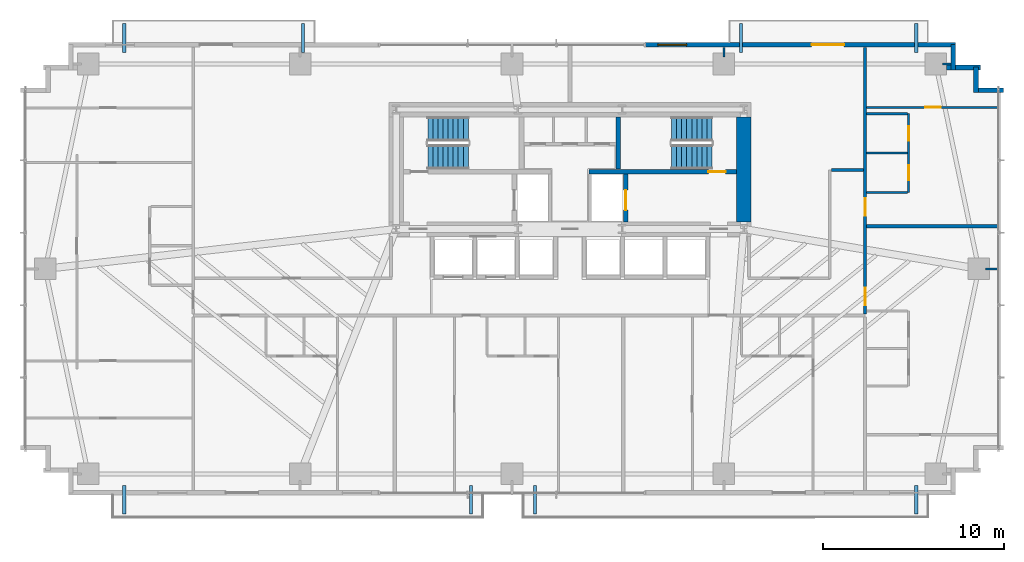
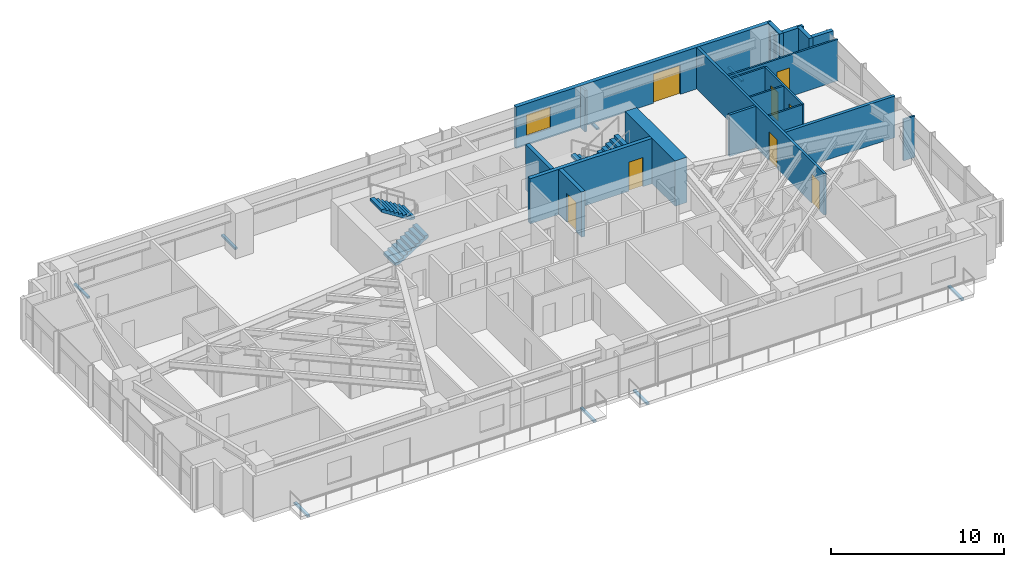
# One storey, part 22 of 25: 20 walls, 8 discrete accessories, 8 doors, 4 stair flights, 1 window, 9 openings, 2 elements without a shape of their own.
"""IFC4 building model written with IfcOpenShell, lengths in metres."""

from ifc_helpers import new_model, si_unit, direction, frame, frame_2d, origin, origin_2d, place, context, subcontext, project, spatial, polyline, rectangle, outline, extrude, source, transform, mapped, material, layer, layer_set, type_object, type_shapes, element, fill, aggregate, save


model = new_model("IFC4")

# Units and contexts
model_context = context("Model", 3, precision=1e-05, world=origin(), true_north=direction((0.0, 1.0)))
body_context = subcontext(model_context, "Body", "Model", "MODEL_VIEW")
ifc_project = project(units=[si_unit("LENGTHUNIT", "METRE"), si_unit("AREAUNIT", "SQUARE_METRE"), si_unit("VOLUMEUNIT", "CUBIC_METRE"), si_unit("PLANEANGLEUNIT", "RADIAN"), si_unit("MASSUNIT", "GRAM", prefix="KILO")], contexts=[model_context])

# Site, building, storey
site_placement = place(None, origin())
site = spatial("IfcSite", under=ifc_project, at=site_placement, CompositionType="ELEMENT")
building_placement = place(site_placement, origin())
building = spatial("IfcBuilding", under=site, at=building_placement, Name="Astriad Promenade Condominiums", CompositionType="ELEMENT")
storey_placement = place(building_placement, frame((0.0, 0.0, 42.199951171875)))
storey = spatial("IfcBuildingStorey", under=building, at=storey_placement, Name="L11", CompositionType="ELEMENT", Elevation=42.199951171875)

# Wall
ifc_material_1 = material(Name="Concrete C80/95", Category="concrete")
ifc_layer_1 = layer(ifc_material_1, 0.800048828125)
ifc_layer_set_1 = layer_set([ifc_layer_1], Name="Concrete C80/95")
wall_type_1 = type_object("IfcWallType", Name="CW-SHEAR-800", PredefinedType="SHEAR", material=ifc_layer_set_1)
wall_1_placement = place(storey_placement, frame((45.60009765625, 17.802001953125, 0.0), z_axis=(0.0, 0.0, 1.0), x_axis=(0.0, 1.0, 0.0)))
element("IfcWall", 1, at=wall_1_placement, inside=storey, type_object=wall_type_1, Name="CW-CORE-E-L11", PredefinedType="SHEAR", context=body_context, shape_type="SweptSolid", body=[
    extrude(rectangle(XDim=5.7958984375, YDim=0.800048828125, at=frame_2d((2.89794921875, 0.0))), origin(), (0.0, 0.0, 1.0), 3.199951171875),
])

# Wall, opening, door
ifc_material_2 = material(Name="Concrete C50/60", Category="concrete")
ifc_layer_2 = layer(ifc_material_2, 0.25)
ifc_layer_set_2 = layer_set([ifc_layer_2], Name="Concrete C50/60")
wall_type_2 = type_object("IfcWallType", Name="WALL-CORE-INT-250", PredefinedType="SOLIDWALL", material=ifc_layer_set_2)
wall_2_placement = place(storey_placement, frame((37.050048828125, 20.574951171875, 0.0), z_axis=(0.0, 0.0, 1.0), x_axis=(1.0, 0.0, 0.0)))
wall_2 = element("IfcWall", 2, at=wall_2_placement, inside=storey, type_object=wall_type_2, Name="CW-INT-H2-L11", PredefinedType="SOLIDWALL", context=body_context, shape_type="SweptSolid", body=[
    extrude(rectangle(XDim=8.14794921875, YDim=0.25, at=frame_2d((4.073974609375, 0.0))), origin(), (0.0, 0.0, 1.0), 3.199951171875),
])
opening_1_placement = place(wall_2_placement, frame((6.60009765625, 0.0, 0.0)))
opening_1 = element("IfcOpeningElement", 3, at=opening_1_placement, cuts=wall_2, Name="Opening FD90-ST-095", PredefinedType="OPENING", context=body_context, shape_type="SweptSolid", body=[
    extrude(rectangle(XDim=0.949951171875, YDim=2.06005859375, at=frame_2d((0.47509765625, 1.030029296875))), frame((0.0, 0.135009765625, 0.0), z_axis=(0.0, -1.0, 0.0), x_axis=(1.0, 0.0, 0.0)), (0.0, 0.0, 1.0), 0.27001953125),
])
ifc_material_3 = material(Name="Fire-Rated Hollow Metal Stair Door")
door_type_1 = type_object("IfcDoorType", Name="FD90-ST-095", OperationType="NOTDEFINED", PredefinedType="DOOR", material=ifc_material_3)
shared_shape_1 = source(origin(), body_context, "Body", "SweptSolid", [
    extrude(rectangle(XDim=0.949951171875, YDim=2.06005859375, at=frame_2d((0.47509765625, 1.030029296875))), frame((0.0, 0.02490234375, 0.0), z_axis=(0.0, -1.0, 0.0), x_axis=(1.0, 0.0, 0.0)), (0.0, 0.0, 1.0), 0.050048828125),
])
type_shapes(door_type_1, [shared_shape_1])
door_1_placement = place(opening_1_placement, origin())
door_1 = element("IfcDoor", 4, at=door_1_placement, inside=storey, type_object=door_type_1, Name="D-ST2-L11", OperationType="SINGLE_SWING_LEFT", OverallHeight=2.06005859375, OverallWidth=0.949951171875, PredefinedType="DOOR", context=body_context, shape_type="MappedRepresentation", body=[
    mapped(shared_shape_1, transform((0.0, 0.0, 0.0), scale=1.0)),
])
fill(opening_1, door_1)

# Wall
wall_3_placement = place(storey_placement, frame((38.675048828125, 20.701904296875, 0.0), z_axis=(0.0, 0.0, 1.0), x_axis=(0.0, 1.0, 0.0)))
element("IfcWall", 5, at=wall_3_placement, inside=storey, type_object=wall_type_2, Name="CW-ST2-W-L11", PredefinedType="SOLIDWALL", context=body_context, shape_type="SweptSolid", body=[
    extrude(rectangle(XDim=2.89599609375, YDim=0.25, at=frame_2d((1.447998046875, 0.0))), origin(), (0.0, 0.0, 1.0), 3.199951171875),
])

# Wall, opening, door
wall_4_placement = place(storey_placement, frame((39.074951171875, 17.802001953125, 0.0), z_axis=(0.0, 0.0, 1.0), x_axis=(0.0, 1.0, 0.0)))
wall_4 = element("IfcWall", 6, at=wall_4_placement, inside=storey, type_object=wall_type_2, Name="CW-FFL2-E-L11", PredefinedType="SOLIDWALL", context=body_context, shape_type="SweptSolid", body=[
    extrude(rectangle(XDim=2.64599609375, YDim=0.25, at=frame_2d((1.322998046875, 0.0))), origin(), (0.0, 0.0, 1.0), 3.199951171875),
])
opening_2_placement = place(wall_4_placement, frame((0.64794921875, 0.0, 0.0)))
opening_2 = element("IfcOpeningElement", 7, at=opening_2_placement, cuts=wall_4, Name="Opening LD-FFL-1122", PredefinedType="OPENING", context=body_context, shape_type="SweptSolid", body=[
    extrude(rectangle(XDim=1.10009765625, YDim=2.080078125, at=frame_2d((0.550048828125, 1.0400390625))), frame((0.0, 0.135009765625, 0.0), z_axis=(0.0, -1.0, 0.0), x_axis=(1.0, 0.0, 0.0)), (0.0, 0.0, 1.0), 0.27001953125),
])
ifc_material_4 = material(Name="Brushed Stainless Steel Fire Elevator Landing Door", Category="steel")
door_type_2 = type_object("IfcDoorType", Name="LD-FFL-1122", OperationType="NOTDEFINED", PredefinedType="DOOR", material=ifc_material_4)
shared_shape_2 = source(origin(), body_context, "Body", "SweptSolid", [
    extrude(rectangle(XDim=1.10009765625, YDim=2.080078125, at=frame_2d((0.550048828125, 1.0400390625))), frame((0.0, 0.02490234375, 0.0), z_axis=(0.0, -1.0, 0.0), x_axis=(1.0, 0.0, 0.0)), (0.0, 0.0, 1.0), 0.050048828125),
])
type_shapes(door_type_2, [shared_shape_2])
door_2_placement = place(opening_2_placement, origin())
door_2 = element("IfcDoor", 8, at=door_2_placement, inside=storey, type_object=door_type_2, Name="Elevator Landing Door FFL-2 (L11)", OperationType="SLIDING_TO_RIGHT", OverallHeight=2.080078125, OverallWidth=1.10009765625, PredefinedType="DOOR", context=body_context, shape_type="MappedRepresentation", body=[
    mapped(shared_shape_2, transform((0.0, 0.0, 0.0), scale=1.0)),
])
fill(opening_2, door_2)

# Wall, openings, doors
ifc_material_5 = material(Name="Fire-Rated Gypsum Partition")
ifc_layer_3 = layer(ifc_material_5, 0.159912109375)
ifc_layer_set_3 = layer_set([ifc_layer_3], Name="Fire-Rated Gypsum Partition")
wall_type_3 = type_object("IfcWallType", Name="WALL-CORR-160", PredefinedType="PARTITIONING", material=ifc_layer_set_3)
wall_5_placement = place(storey_placement, frame((52.300048828125, 12.7119140625, 0.0), z_axis=(0.0, 0.0, 1.0), x_axis=(0.0, 1.0, 0.0)))
wall_5 = element("IfcWall", 9, at=wall_5_placement, inside=storey, type_object=wall_type_3, Name="PT-COR-E-L11-S2", PredefinedType="PARTITIONING", context=body_context, shape_type="SweptSolid", body=[
    extrude(rectangle(XDim=14.72607421875, YDim=0.159912109375, at=frame_2d((7.363037109375, 0.0))), origin(), (0.0, 0.0, 1.0), 2.93994140625),
])
opening_3_placement = place(wall_5_placement, frame((0.492919921875, 0.0, 0.0)))
opening_3 = element("IfcOpeningElement", 10, at=opening_3_placement, cuts=wall_5, Name="Opening FD60-APT-095", PredefinedType="OPENING", context=body_context, shape_type="SweptSolid", body=[
    extrude(rectangle(XDim=0.949951171875, YDim=2.06005859375, at=frame_2d((0.47509765625, 1.030029296875))), frame((0.0, 0.08984375, 0.0), z_axis=(0.0, -1.0, 0.0), x_axis=(1.0, 0.0, 0.0)), (0.0, 0.0, 1.0), 0.179931640625),
])
opening_4_placement = place(wall_5_placement, frame((5.43310546875, 0.0, 0.0)))
opening_4 = element("IfcOpeningElement", 11, at=opening_4_placement, cuts=wall_5, Name="Opening FD60-APT-095", PredefinedType="OPENING", context=body_context, shape_type="SweptSolid", body=[
    extrude(rectangle(XDim=0.949951171875, YDim=2.06005859375, at=frame_2d((0.47509765625, 1.030029296875))), frame((0.0, 0.08984375, 0.0), z_axis=(0.0, -1.0, 0.0), x_axis=(1.0, 0.0, 0.0)), (0.0, 0.0, 1.0), 0.179931640625),
])
ifc_material_6 = material(Name="Solid-Core Acoustic Timber Residence Entry Door", Category="wood")
door_type_3 = type_object("IfcDoorType", Name="FD60-APT-095", OperationType="NOTDEFINED", PredefinedType="DOOR", material=ifc_material_6)
shared_shape_3 = source(origin(), body_context, "Body", "SweptSolid", [
    extrude(rectangle(XDim=0.949951171875, YDim=2.06005859375, at=frame_2d((0.47509765625, 1.030029296875))), frame((0.0, 0.02490234375, 0.0), z_axis=(0.0, -1.0, 0.0), x_axis=(1.0, 0.0, 0.0)), (0.0, 0.0, 1.0), 0.050048828125),
])
type_shapes(door_type_3, [shared_shape_3])
door_3_placement = place(opening_3_placement, origin())
door_3 = element("IfcDoor", 12, at=door_3_placement, inside=storey, type_object=door_type_3, Name="D-ENT-L11-E1", OperationType="SINGLE_SWING_LEFT", OverallHeight=2.06005859375, OverallWidth=0.949951171875, PredefinedType="DOOR", context=body_context, shape_type="MappedRepresentation", body=[
    mapped(shared_shape_3, transform((0.0, 0.0, 0.0), scale=1.0)),
])
fill(opening_3, door_3)
door_4_placement = place(opening_4_placement, origin())
door_4 = element("IfcDoor", 13, at=door_4_placement, inside=storey, type_object=door_type_3, Name="D-ENT-L11-E2", OperationType="SINGLE_SWING_LEFT", OverallHeight=2.06005859375, OverallWidth=0.949951171875, PredefinedType="DOOR", context=body_context, shape_type="MappedRepresentation", body=[
    mapped(shared_shape_3, transform((0.0, 0.0, 0.0), scale=1.0)),
])
fill(opening_4, door_4)

# Walls
wall_6_placement = place(storey_placement, frame((50.431884765625, 20.64990234375, 0.0), z_axis=(0.0, 0.0, 1.0), x_axis=(1.0, 0.0, 0.0)))
element("IfcWall", 14, at=wall_6_placement, inside=storey, type_object=wall_type_3, Name="PT-EALC-N-L11", PredefinedType="PARTITIONING", context=body_context, shape_type="SweptSolid", body=[
    extrude(rectangle(XDim=1.7861328125, YDim=0.159912109375, at=frame_2d((0.89306640625, 0.0))), origin(), (0.0, 0.0, 1.0), 2.93994140625),
])
ifc_material_7 = material(Name="Acoustic Double-Stud Gypsum Partition")
ifc_layer_4 = layer(ifc_material_7, 0.199951171875)
ifc_layer_set_4 = layer_set([ifc_layer_4], Name="Acoustic Double-Stud Gypsum Partition")
wall_type_4 = type_object("IfcWallType", Name="WALL-DEMISING-200", PredefinedType="PARTITIONING", material=ifc_layer_set_4)
wall_7_placement = place(storey_placement, frame((52.382080078125, 17.550048828125, 0.0), z_axis=(0.0, 0.0, 1.0), x_axis=(1.0, 0.0, 0.0)))
element("IfcWall", 15, at=wall_7_placement, inside=storey, type_object=wall_type_4, Name="PT-DEM-EE-L11", PredefinedType="PARTITIONING", context=body_context, shape_type="SweptSolid", body=[
    extrude(rectangle(XDim=7.337890625, YDim=0.199951171875, at=frame_2d((3.6689453125, 0.0))), origin(), (0.0, 0.0, 1.0), 2.93994140625),
])

# Wall, openings, door, window
ifc_material_8 = material(Name="Precast concrete C50/60", Category="concrete")
ifc_layer_5 = layer(ifc_material_8, 0.260009765625)
ifc_layer_set_5 = layer_set([ifc_layer_5], Name="Precast concrete C50/60")
wall_type_5 = type_object("IfcWallType", Name="WALL-EXT-TWR-260", PredefinedType="STANDARD", material=ifc_layer_set_5)
wall_8_placement = place(storey_placement, frame((40.14990234375, 27.570068359375, 0.0), z_axis=(0.0, 0.0, 1.0), x_axis=(1.0, 0.0, 0.0)))
wall_8 = element("IfcWall", 16, at=wall_8_placement, inside=storey, type_object=wall_type_5, Name="W-EXT-L11-N2", PredefinedType="STANDARD", context=body_context, shape_type="SweptSolid", body=[
    extrude(rectangle(XDim=17.150146484375, YDim=0.260009765625, at=frame_2d((8.5751953125, 0.0))), origin(), (0.0, 0.0, 1.0), 2.93994140625),
])
opening_5_placement = place(wall_8_placement, frame((9.18994140625, 0.0, 0.0)))
opening_5 = element("IfcOpeningElement", 17, at=opening_5_placement, cuts=wall_8, Name="Opening BD-1822-SLD", PredefinedType="OPENING", context=body_context, shape_type="SweptSolid", body=[
    extrude(rectangle(XDim=1.800048828125, YDim=2.06005859375, at=frame_2d((0.89990234375, 1.030029296875))), frame((0.0, 0.139892578125, 0.0), z_axis=(0.0, -1.0, 0.0), x_axis=(1.0, 0.0, 0.0)), (0.0, 0.0, 1.0), 0.280029296875),
])
opening_6_placement = place(wall_8_placement, frame((0.699951171875, 0.0, 0.64990234375)))
opening_6 = element("IfcOpeningElement", 18, at=opening_6_placement, cuts=wall_8, Name="Opening WIN-TWR-1620", PredefinedType="OPENING", context=body_context, shape_type="SweptSolid", body=[
    extrude(rectangle(XDim=1.60009765625, YDim=1.5, at=frame_2d((0.800048828125, 0.75))), frame((0.0, 0.139892578125, 0.0), z_axis=(0.0, -1.0, 0.0), x_axis=(1.0, 0.0, 0.0)), (0.0, 0.0, 1.0), 0.280029296875),
])
ifc_material_9 = material(Name="Thermally Broken Aluminium Sliding Balcony Door", Category="aluminium")
door_type_4 = type_object("IfcDoorType", Name="BD-1822-SLD", OperationType="NOTDEFINED", PredefinedType="DOOR", material=ifc_material_9)
shared_shape_4 = source(origin(), body_context, "Body", "SweptSolid", [
    extrude(rectangle(XDim=1.800048828125, YDim=2.06005859375, at=frame_2d((0.89990234375, 1.030029296875))), frame((0.0, 0.02490234375, 0.0), z_axis=(0.0, -1.0, 0.0), x_axis=(1.0, 0.0, 0.0)), (0.0, 0.0, 1.0), 0.050048828125),
])
type_shapes(door_type_4, [shared_shape_4])
door_5_placement = place(opening_5_placement, origin())
door_5 = element("IfcDoor", 19, at=door_5_placement, inside=storey, type_object=door_type_4, Name="BD-L11-NE", OperationType="SLIDING_TO_RIGHT", OverallHeight=2.06005859375, OverallWidth=1.800048828125, PredefinedType="DOOR", context=body_context, shape_type="MappedRepresentation", body=[
    mapped(shared_shape_4, transform((0.0, 0.0, 0.0), scale=1.0)),
])
fill(opening_5, door_5)
ifc_material_10 = material(Name="Dark Tinted Triple-Glazed Aluminium Window", Category="aluminium")
window_type = type_object("IfcWindowType", Name="WIN-TWR-1620", PartitioningType="SINGLE_PANEL", PredefinedType="WINDOW", material=ifc_material_10)
shared_shape_5 = source(origin(), body_context, "Body", "SweptSolid", [
    extrude(rectangle(XDim=1.60009765625, YDim=1.5, at=frame_2d((0.800048828125, 0.75))), frame((0.0, 0.030029296875, 0.0), z_axis=(0.0, -1.0, 0.0), x_axis=(1.0, 0.0, 0.0)), (0.0, 0.0, 1.0), 0.06005859375),
])
type_shapes(window_type, [shared_shape_5])
window_placement = place(opening_6_placement, origin())
window = element("IfcWindow", 20, at=window_placement, inside=storey, type_object=window_type, Name="WIN-L11-NE", OverallHeight=1.5, OverallWidth=1.60009765625, PartitioningType="SINGLE_PANEL", PredefinedType="WINDOW", context=body_context, shape_type="MappedRepresentation", body=[
    mapped(shared_shape_5, transform((0.0, 0.0, 0.0), scale=1.0)),
])
fill(opening_6, window)

# Walls
wall_9_placement = place(storey_placement, frame((57.169921875, 27.5849609375, 0.0), z_axis=(0.0, 0.0, 1.0), x_axis=(0.0, -1.0, 0.0)))
element("IfcWall", 21, at=wall_9_placement, inside=storey, type_object=wall_type_5, Name="W-SER-L11-09", PredefinedType="STANDARD", context=body_context, shape_type="SweptSolid", body=[
    extrude(rectangle(XDim=1.39501953125, YDim=0.260009765625, at=frame_2d((0.697509765625, 0.0))), origin(), (0.0, 0.0, 1.0), 2.93994140625),
])
wall_10_placement = place(storey_placement, frame((56.802001953125, 26.320068359375, 0.0), z_axis=(0.0, 0.0, 1.0), x_axis=(1.0, 0.0, 0.0)))
element("IfcWall", 22, at=wall_10_placement, inside=storey, type_object=wall_type_5, Name="W-SER-L11-10", PredefinedType="STANDARD", context=body_context, shape_type="SweptSolid", body=[
    extrude(rectangle(XDim=1.8779296875, YDim=0.260009765625, at=frame_2d((0.93896484375, 0.0))), origin(), (0.0, 0.0, 1.0), 2.93994140625),
])
for number, where, z_axis, x_axis, name in (
    (23, (58.419921875, 26.3349609375, 0.0), (0.0, 0.0, 1.0), (0.0, -1.0, 0.0), "W-SER-L11-11"),
    (24, (58.534912109375, 25.070068359375, 0.0), (0.0, 0.0, 1.0), (1.0, 0.0, 0.0), "W-SER-L11-12"),
):
    element("IfcWall", number, at=place(storey_placement, frame(where, z_axis=z_axis, x_axis=x_axis)), inside=storey, type_object=wall_type_5, Name=name, PredefinedType="STANDARD", context=body_context, shape_type="SweptSolid", body=[
        extrude(rectangle(XDim=1.39501953125, YDim=0.260009765625, at=frame_2d((0.697509765625, 0.0))), origin(), (0.0, 0.0, 1.0), 2.93994140625),
    ])

# Wall, openings, doors
ifc_material_11 = material(Name="Acoustic Metal-Stud Gypsum Partition")
ifc_layer_6 = layer(ifc_material_11, 0.1201171875)
ifc_layer_set_6 = layer_set([ifc_layer_6], Name="Acoustic Metal-Stud Gypsum Partition")
wall_type_6 = type_object("IfcWallType", Name="WALL-PART-120", PredefinedType="PARTITIONING", material=ifc_layer_set_6)
wall_11_placement = place(storey_placement, frame((54.699951171875, 19.419921875, 0.0), z_axis=(0.0, 0.0, 1.0), x_axis=(0.0, 1.0, 0.0)))
wall_11 = element("IfcWall", 25, at=wall_11_placement, inside=storey, type_object=wall_type_6, Name="PT-L11-E2-PV", PredefinedType="PARTITIONING", context=body_context, shape_type="SweptSolid", body=[
    extrude(rectangle(XDim=4.35009765625, YDim=0.1201171875, at=frame_2d((2.175048828125, 0.0))), origin(), (0.0, 0.0, 1.0), 2.93994140625),
])
opening_7_placement = place(wall_11_placement, frame((0.6630859375, 0.0, 0.0)))
opening_7 = element("IfcOpeningElement", 26, at=opening_7_placement, cuts=wall_11, Name="Opening D-INT-085", PredefinedType="OPENING", context=body_context, shape_type="SweptSolid", body=[
    extrude(rectangle(XDim=0.85009765625, YDim=2.050048828125, at=frame_2d((0.425048828125, 1.02490234375))), frame((0.0, 0.070068359375, 0.0), z_axis=(0.0, -1.0, 0.0), x_axis=(1.0, 0.0, 0.0)), (0.0, 0.0, 1.0), 0.14013671875),
])
opening_8_placement = place(wall_11_placement, frame((2.862060546875, 0.0, 0.0)))
opening_8 = element("IfcOpeningElement", 27, at=opening_8_placement, cuts=wall_11, Name="Opening D-WET-080", PredefinedType="OPENING", context=body_context, shape_type="SweptSolid", body=[
    extrude(rectangle(XDim=0.800048828125, YDim=2.02001953125, at=frame_2d((0.39990234375, 1.010009765625))), frame((0.0, 0.070068359375, 0.0), z_axis=(0.0, -1.0, 0.0), x_axis=(1.0, 0.0, 0.0)), (0.0, 0.0, 1.0), 0.14013671875),
])
ifc_material_12 = material(Name="Moisture-Resistant Timber Bathroom Door", Category="wood")
door_type_5 = type_object("IfcDoorType", Name="D-WET-080", OperationType="NOTDEFINED", PredefinedType="DOOR", material=ifc_material_12)
shared_shape_6 = source(origin(), body_context, "Body", "SweptSolid", [
    extrude(rectangle(XDim=0.800048828125, YDim=2.02001953125, at=frame_2d((0.39990234375, 1.010009765625))), frame((0.0, 0.02490234375, 0.0), z_axis=(0.0, -1.0, 0.0), x_axis=(1.0, 0.0, 0.0)), (0.0, 0.0, 1.0), 0.050048828125),
])
type_shapes(door_type_5, [shared_shape_6])
door_6_placement = place(opening_8_placement, origin())
door_6 = element("IfcDoor", 28, at=door_6_placement, inside=storey, type_object=door_type_5, Name="D-BTH-L11-E2", OperationType="SINGLE_SWING_LEFT", OverallHeight=2.02001953125, OverallWidth=0.800048828125, PredefinedType="DOOR", context=body_context, shape_type="MappedRepresentation", body=[
    mapped(shared_shape_6, transform((0.0, 0.0, 0.0), scale=1.0)),
])
fill(opening_8, door_6)
ifc_material_13 = material(Name="Painted Solid-Core Timber Room Door", Category="wood")
door_type_6 = type_object("IfcDoorType", Name="D-INT-085", OperationType="NOTDEFINED", PredefinedType="DOOR", material=ifc_material_13)
shared_shape_7 = source(origin(), body_context, "Body", "SweptSolid", [
    extrude(rectangle(XDim=0.85009765625, YDim=2.050048828125, at=frame_2d((0.425048828125, 1.02490234375))), frame((0.0, 0.02490234375, 0.0), z_axis=(0.0, -1.0, 0.0), x_axis=(1.0, 0.0, 0.0)), (0.0, 0.0, 1.0), 0.050048828125),
])
type_shapes(door_type_6, [shared_shape_7])
door_7_placement = place(opening_7_placement, origin())
door_7 = element("IfcDoor", 29, at=door_7_placement, inside=storey, type_object=door_type_6, Name="D-KIT-L11-E2", OperationType="SINGLE_SWING_RIGHT", OverallHeight=2.050048828125, OverallWidth=0.85009765625, PredefinedType="DOOR", context=body_context, shape_type="MappedRepresentation", body=[
    mapped(shared_shape_7, transform((0.0, 0.0, 0.0), scale=1.0)),
])
fill(opening_7, door_7)

# Walls
for number, where, z_axis, x_axis, name in (
    (30, (52.382080078125, 21.594970703125, 0.0), (0.0, 0.0, 1.0), (1.0, 0.0, 0.0), "PT-L11-E2-PM"),
    (31, (52.382080078125, 19.419921875, 0.0), (0.0, 0.0, 1.0), (1.0, 0.0, 0.0), "PT-L11-E2-PS"),
    (32, (52.382080078125, 23.77001953125, 0.0), (0.0, 0.0, 1.0), (1.0, 0.0, 0.0), "PT-L11-E2-PN"),
):
    element("IfcWall", number, at=place(storey_placement, frame(where, z_axis=z_axis, x_axis=x_axis)), inside=storey, type_object=wall_type_6, Name=name, PredefinedType="PARTITIONING", context=body_context, shape_type="SweptSolid", body=[
        extrude(rectangle(XDim=2.255859375, YDim=0.1201171875, at=frame_2d((1.1279296875, 0.0))), origin(), (0.0, 0.0, 1.0), 2.93994140625),
    ])

# Wall, opening, door
wall_12_placement = place(storey_placement, frame((52.382080078125, 24.1201171875, 0.0), z_axis=(0.0, 0.0, 1.0), x_axis=(1.0, 0.0, 0.0)))
wall_12 = element("IfcWall", 33, at=wall_12_placement, inside=storey, type_object=wall_type_6, Name="PT-L11-E2-B1", PredefinedType="PARTITIONING", context=body_context, shape_type="SweptSolid", body=[
    extrude(rectangle(XDim=7.337890625, YDim=0.1201171875, at=frame_2d((3.6689453125, 0.0))), origin(), (0.0, 0.0, 1.0), 2.93994140625),
])
opening_9_placement = place(wall_12_placement, frame((3.2529296875, 0.0, 0.0)))
opening_9 = element("IfcOpeningElement", 34, at=opening_9_placement, cuts=wall_12, Name="Opening D-INT-085", PredefinedType="OPENING", context=body_context, shape_type="SweptSolid", body=[
    extrude(rectangle(XDim=0.85009765625, YDim=2.050048828125, at=frame_2d((0.425048828125, 1.02490234375))), frame((0.0, 0.070068359375, 0.0), z_axis=(0.0, -1.0, 0.0), x_axis=(1.0, 0.0, 0.0)), (0.0, 0.0, 1.0), 0.14013671875),
])
door_8_placement = place(opening_9_placement, origin())
door_8 = element("IfcDoor", 35, at=door_8_placement, inside=storey, type_object=door_type_6, Name="D-BD1-L11-E2", OperationType="SINGLE_SWING_RIGHT", OverallHeight=2.050048828125, OverallWidth=0.85009765625, PredefinedType="DOOR", context=body_context, shape_type="MappedRepresentation", body=[
    mapped(shared_shape_7, transform((0.0, 0.0, 0.0), scale=1.0)),
])
fill(opening_9, door_8)

# Walls
wall_13_placement = place(storey_placement, frame((44.5, 26.89990234375, 0.0), z_axis=(0.0, 0.0, 1.0), x_axis=(0.0, 1.0, 0.0)))
element("IfcWall", 36, at=wall_13_placement, inside=storey, type_object=wall_type_6, Name="PT-PIL-L11-PC09-16", PredefinedType="PARTITIONING", context=body_context, shape_type="SweptSolid", body=[
    extrude(rectangle(XDim=0.5380859375, YDim=0.1201171875, at=frame_2d((0.26904296875, 0.0))), origin(), (0.0, 0.0, 1.0), 2.93994140625),
])
wall_14_placement = place(storey_placement, frame((56.580078125, 26.52001953125, 0.0), z_axis=(0.0, 0.0, 1.0), x_axis=(1.0, 0.0, 0.0)))
element("IfcWall", 37, at=wall_14_placement, inside=storey, type_object=wall_type_6, Name="PT-PIL-L11-PC10-17", PredefinedType="PARTITIONING", context=body_context, shape_type="SweptSolid", body=[
    extrude(rectangle(XDim=0.4580078125, YDim=0.1201171875, at=frame_2d((0.22900390625, 0.0))), origin(), (0.0, 0.0, 1.0), 2.93994140625),
])
wall_15_placement = place(storey_placement, frame((58.9599609375, 15.199951171875, 0.0), z_axis=(0.0, 0.0, 1.0), x_axis=(1.0, 0.0, 0.0)))
element("IfcWall", 38, at=wall_15_placement, inside=storey, type_object=wall_type_6, Name="PT-PIL-L11-PC12-19", PredefinedType="PARTITIONING", context=body_context, shape_type="SweptSolid", body=[
    extrude(rectangle(XDim=0.760009765625, YDim=0.1201171875, at=frame_2d((0.3798828125, 0.0))), origin(), (0.0, 0.0, 1.0), 2.93994140625),
])

# Stair, stair flights
stair_type = type_object("IfcStairType", Name="STR-CORE-1350", PredefinedType="HALF_TURN_STAIR", material=ifc_material_2)
stair_1_placement = place(storey_placement, origin())
stair_1 = element("IfcStair", 39, at=stair_1_placement, inside=storey, type_object=stair_type, Name="L11 Enclosed Core Exit Stair ST-1", PredefinedType="HALF_TURN_STAIR")
stair_flight_type = type_object("IfcStairFlightType", Name="SFL-CORE-1350", PredefinedType="STRAIGHT", material=ifc_material_2)
shared_shape_8 = source(origin(), body_context, "Body", "SweptSolid", [
    extrude(outline(polyline([(0.0, 0.0), (0.0, 0.177734375), (0.280029296875, 0.177734375), (0.280029296875, 0.35546875), (0.56005859375, 0.35546875), (0.56005859375, 0.533447265625), (0.840087890625, 0.533447265625), (0.840087890625, 0.711181640625), (1.1201171875, 0.711181640625), (1.1201171875, 0.888916015625), (1.39990234375, 0.888916015625), (1.39990234375, 1.066650390625), (1.679931640625, 1.066650390625), (1.679931640625, 1.244384765625), (1.9599609375, 1.244384765625), (1.9599609375, 1.422119140625), (2.239990234375, 1.422119140625), (2.239990234375, 1.60009765625), (2.239990234375, 1.24462890625), (0.27978515625, 0.0), (0.0, 0.0)])), frame((0.0, 0.675048828125, 0.0), z_axis=(0.0, -1.0, 0.0), x_axis=(1.0, 0.0, 0.0)), (0.0, 0.0, 1.0), 1.35009765625),
])
type_shapes(stair_flight_type, [shared_shape_8])
stair_flight_1_placement = place(storey_placement, frame((28.14990234375, 21.375, 0.0), z_axis=(0.0, 0.0, 1.0), x_axis=(1.0, 0.0, 0.0)))
stair_flight_1 = element("IfcStairFlight", 40, at=stair_flight_1_placement, type_object=stair_flight_type, Name="ST-1 flight 1", NumberOfRisers=9, NumberOfTreads=8, PredefinedType="STRAIGHT", RiserHeight=0.177777778, TreadLength=0.28, context=body_context, shape_type="MappedRepresentation", body=[
    mapped(shared_shape_8, transform((0.0, 0.0, 0.0), scale=1.0)),
])
stair_flight_2_placement = place(storey_placement, frame((30.389892578125, 22.925048828125, 1.60009765625), z_axis=(0.0, 0.0, 1.0), x_axis=(-1.0, 0.0, 0.0)))
stair_flight_2 = element("IfcStairFlight", 41, at=stair_flight_2_placement, type_object=stair_flight_type, Name="ST-1 flight 2", NumberOfRisers=9, NumberOfTreads=8, PredefinedType="STRAIGHT", RiserHeight=0.177777778, TreadLength=0.28, context=body_context, shape_type="MappedRepresentation", body=[
    mapped(shared_shape_8, transform((0.0, 0.0, 0.0), scale=1.0)),
])
aggregate(stair_1, [stair_flight_1, stair_flight_2])

stair_2_placement = place(storey_placement, origin())
stair_2 = element("IfcStair", 42, at=stair_2_placement, inside=storey, type_object=stair_type, Name="L11 Enclosed Core Exit Stair ST-2", PredefinedType="HALF_TURN_STAIR")
stair_flight_3_placement = place(storey_placement, frame((43.85009765625, 22.925048828125, 0.0), z_axis=(0.0, 0.0, 1.0), x_axis=(-1.0, 0.0, 0.0)))
stair_flight_3 = element("IfcStairFlight", 43, at=stair_flight_3_placement, type_object=stair_flight_type, Name="ST-2 flight 1", NumberOfRisers=9, NumberOfTreads=8, PredefinedType="STRAIGHT", RiserHeight=0.177777778, TreadLength=0.28, context=body_context, shape_type="MappedRepresentation", body=[
    mapped(shared_shape_8, transform((0.0, 0.0, 0.0), scale=1.0)),
])
stair_flight_4_placement = place(storey_placement, frame((41.610107421875, 21.375, 1.60009765625), z_axis=(0.0, 0.0, 1.0), x_axis=(1.0, 0.0, 0.0)))
stair_flight_4 = element("IfcStairFlight", 44, at=stair_flight_4_placement, type_object=stair_flight_type, Name="ST-2 flight 2", NumberOfRisers=9, NumberOfTreads=8, PredefinedType="STRAIGHT", RiserHeight=0.177777778, TreadLength=0.28, context=body_context, shape_type="MappedRepresentation", body=[
    mapped(shared_shape_8, transform((0.0, 0.0, 0.0), scale=1.0)),
])
aggregate(stair_2, [stair_flight_3, stair_flight_4])

# Discrete accessories
ifc_material_14 = material(Name="Steel ASTM A572 Grade 50", Category="steel")
discrete_accessory_type = type_object("IfcDiscreteAccessoryType", Name="STEEL BALCONY OUTRIGGER BRACKET", PredefinedType="BRACKET", material=ifc_material_14)
shared_shape_9 = source(origin(), body_context, "Body", "SweptSolid", [
    extrude(rectangle(XDim=1.60009765625, YDim=0.179931640625, at=origin_2d()), origin(), (0.0, 0.0, 1.0), 0.1220703125),
])
type_shapes(discrete_accessory_type, [shared_shape_9])
for number, where, z_axis, x_axis, name in (
    (45, (11.39404296875, 2.449951171875, -0.340087890625), (0.0, 0.0, 1.0), (0.0, -1.0, 0.0), "Balcony Outrigger Bracket BAL-L11-SW-A"),
    (46, (30.531982421875, 2.449951171875, -0.340087890625), (0.0, 0.0, 1.0), (0.0, -1.0, 0.0), "Balcony Outrigger Bracket BAL-L11-SW-B"),
    (47, (34.072998046875, 2.449951171875, -0.340087890625), (0.0, 0.0, 1.0), (0.0, -1.0, 0.0), "Balcony Outrigger Bracket BAL-L11-SE-A"),
    (48, (55.1220703125, 2.449951171875, -0.340087890625), (0.0, 0.0, 1.0), (0.0, -1.0, 0.0), "Balcony Outrigger Bracket BAL-L11-SE-B"),
    (49, (11.39404296875, 27.949951171875, -0.340087890625), (0.0, 0.0, 1.0), (0.0, 1.0, 0.0), "Balcony Outrigger Bracket BAL-L11-NW-A"),
    (50, (21.260009765625, 27.949951171875, -0.340087890625), (0.0, 0.0, 1.0), (0.0, 1.0, 0.0), "Balcony Outrigger Bracket BAL-L11-NW-B"),
    (51, (45.449951171875, 27.949951171875, -0.340087890625), (0.0, 0.0, 1.0), (0.0, 1.0, 0.0), "Balcony Outrigger Bracket BAL-L11-NE-A"),
    (52, (55.1220703125, 27.949951171875, -0.340087890625), (0.0, 0.0, 1.0), (0.0, 1.0, 0.0), "Balcony Outrigger Bracket BAL-L11-NE-B"),
):
    element("IfcDiscreteAccessory", number, at=place(storey_placement, frame(where, z_axis=z_axis, x_axis=x_axis)), inside=storey, type_object=discrete_accessory_type, Name=name, PredefinedType="BRACKET", context=body_context, shape_type="MappedRepresentation", body=[
        mapped(shared_shape_9, transform((0.0, 0.0, 0.0), scale=1.0)),
    ])

save(model, "model.ifc")
